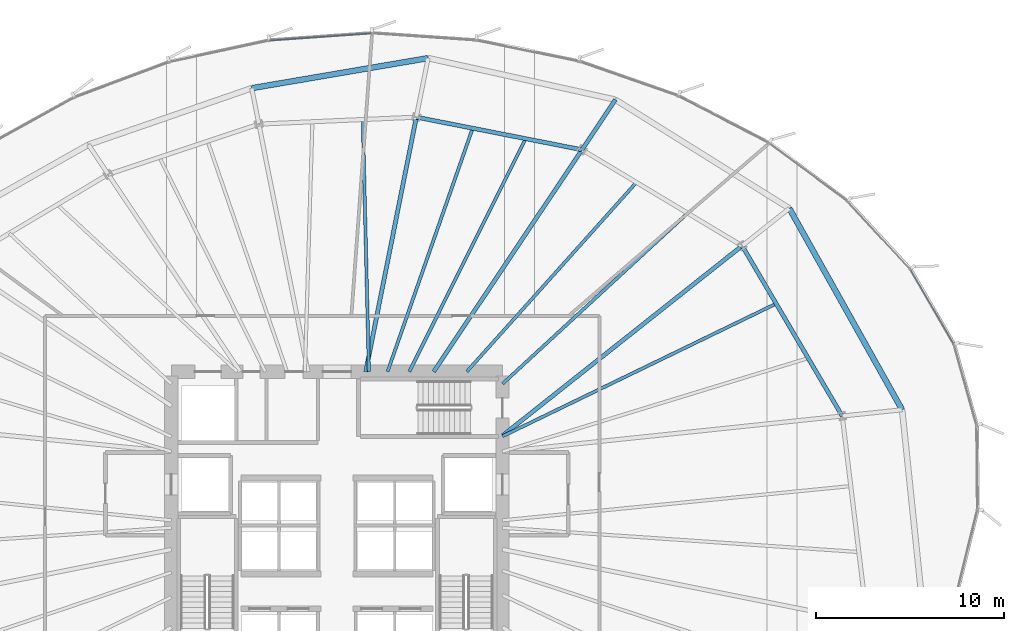
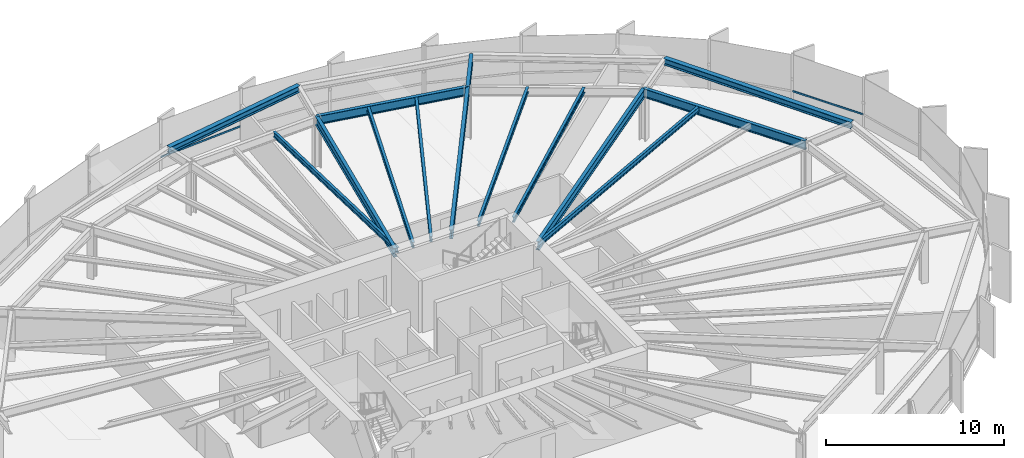
# One storey, part 23 of 38: 14 beams, 2 members, 2 elements without a shape of their own.
"""IFC4 building model written with IfcOpenShell, lengths in metres."""

from ifc_helpers import new_model, si_unit, direction, frame, origin, origin_2d, place, context, subcontext, project, spatial, hollow_rectangle, i_section, extrude, source, transform, mapped, material, layer, layer_set, material_profile, profile_set, type_object, element, aggregate, save


model = new_model("IFC4")

# Units and contexts
model_context = context("Model", 3, precision=1e-05, world=origin(), true_north=direction((0.0, 1.0)))
body_context = subcontext(model_context, "Body", "Model", "MODEL_VIEW")
ifc_project = project(units=[si_unit("LENGTHUNIT", "METRE"), si_unit("AREAUNIT", "SQUARE_METRE"), si_unit("VOLUMEUNIT", "CUBIC_METRE"), si_unit("PLANEANGLEUNIT", "RADIAN"), si_unit("MASSUNIT", "GRAM", prefix="KILO"), si_unit("THERMODYNAMICTEMPERATUREUNIT", "KELVIN")], contexts=[model_context])

# Site, building, storey
site_placement = place(None, origin())
site = spatial("IfcSite", under=ifc_project, at=site_placement, CompositionType="ELEMENT")
building_placement = place(site_placement, origin())
building = spatial("IfcBuilding", under=site, at=building_placement, Name="Kethvar Cultural Tower", CompositionType="ELEMENT")
storey_placement = place(building_placement, frame((0.0, 0.0, 63.800048828125)))
storey = spatial("IfcBuildingStorey", under=building, at=storey_placement, Name="L15", CompositionType="ELEMENT", Elevation=63.800048828125)

# Beams
ifc_material_1 = material(Name="Steel S355J2", Category="steel")
ifc_material_profile_1 = material_profile(ifc_material_1, i_section(OverallWidth=0.219970703125, OverallDepth=0.60009765625, WebThickness=0.011962890625, FlangeThickness=0.01904296875, FilletRadius=0.02392578125, at=origin_2d()), Name="Steel S355J2 — IPE600")
ifc_profile_set_1 = profile_set([ifc_material_profile_1], Name="Steel S355J2 — IPE600")
beam_type_1 = type_object("IfcBeamType", Name="BM-IPE600", PredefinedType="BEAM", material=ifc_profile_set_1)
shared_shape_1 = source(origin(), body_context, "Body", "SweptSolid", [
    extrude(i_section(OverallWidth=0.219970703125, OverallDepth=0.60009765625, WebThickness=0.011962890625, FlangeThickness=0.01904296875, FilletRadius=0.02392578125, at=origin_2d()), origin(), (0.0, 0.0, 1.0), 16.248779296875),
])
beam_1_placement = place(storey_placement, frame((55.60009765625, 32.10009765625, 3.248046875), z_axis=(0.783831288624, 0.620973840813, 0.0), x_axis=(-0.620973840813, 0.783831288624, 0.0)))
element("IfcBeam", 1, at=beam_1_placement, inside=storey, type_object=beam_type_1, Name="L15 Primary Radial Beam RB-02", PredefinedType="BEAM", context=body_context, shape_type="MappedRepresentation", body=[
    mapped(shared_shape_1, transform((0.0, 0.0, 0.0), scale=1.0)),
])
shared_shape_2 = source(origin(), body_context, "Body", "SweptSolid", [
    extrude(i_section(OverallWidth=0.219970703125, OverallDepth=0.60009765625, WebThickness=0.011962890625, FlangeThickness=0.01904296875, FilletRadius=0.02392578125, at=origin_2d()), origin(), (0.0, 0.0, 1.0), 14.18359375),
])
beam_2_placement = place(storey_placement, frame((51.945068359375, 35.5, 3.248046875), z_axis=(0.55556584065, 0.831472547174, 0.0), x_axis=(-0.831472547174, 0.55556584065, 0.0)))
element("IfcBeam", 2, at=beam_2_placement, inside=storey, type_object=beam_type_1, Name="L15 Primary Radial Beam RB-03", PredefinedType="BEAM", context=body_context, shape_type="MappedRepresentation", body=[
    mapped(shared_shape_2, transform((0.0, 0.0, 0.0), scale=1.0)),
])
shared_shape_3 = source(origin(), body_context, "Body", "SweptSolid", [
    extrude(i_section(OverallWidth=0.219970703125, OverallDepth=0.60009765625, WebThickness=0.011962890625, FlangeThickness=0.01904296875, FilletRadius=0.02392578125, at=origin_2d()), origin(), (0.0, 0.0, 1.0), 3.2001953125),
])
beam_3_placement = place(storey_placement, frame((59.824951171875, 47.293212890625, 3.248046875), z_axis=(0.555544970406, 0.831486491686, 0.0), x_axis=(-0.831486491686, 0.555544970406, 0.0)))
element("IfcBeam", 3, at=beam_3_placement, inside=storey, type_object=beam_type_1, Name="L15 Perimeter Cantilever Beam RC-03", PredefinedType="BEAM", context=body_context, shape_type="MappedRepresentation", body=[
    mapped(shared_shape_3, transform((0.0, 0.0, 0.0), scale=1.0)),
])
shared_shape_4 = source(origin(), body_context, "Body", "SweptSolid", [
    extrude(i_section(OverallWidth=0.219970703125, OverallDepth=0.60009765625, WebThickness=0.011962890625, FlangeThickness=0.01904296875, FilletRadius=0.02392578125, at=origin_2d()), origin(), (0.0, 0.0, 1.0), 13.791015625),
])
beam_4_placement = place(storey_placement, frame((48.33154296875, 35.5, 3.248046875), z_axis=(0.195104916429, 0.980782377281, 0.0), x_axis=(-0.980782377281, 0.195104916429, 0.0)))
element("IfcBeam", 4, at=beam_4_placement, inside=storey, type_object=beam_type_1, Name="L15 Primary Radial Beam RB-04", PredefinedType="BEAM", context=body_context, shape_type="MappedRepresentation", body=[
    mapped(shared_shape_4, transform((0.0, 0.0, 0.0), scale=1.0)),
])
shared_shape_5 = source(origin(), body_context, "Body", "SweptSolid", [
    extrude(i_section(OverallWidth=0.219970703125, OverallDepth=0.60009765625, WebThickness=0.011962890625, FlangeThickness=0.01904296875, FilletRadius=0.02392578125, at=origin_2d()), origin(), (0.0, 0.0, 1.0), 10.496337890625),
])
beam_5_placement = place(storey_placement, frame((73.65673828125, 33.14208984375, 3.248046875), z_axis=(-0.506871712474, 0.862021500366, 0.0), x_axis=(-0.862021500366, -0.506871712474, 0.0)))
element("IfcBeam", 5, at=beam_5_placement, inside=storey, type_object=beam_type_1, Name="L15 Column Ring Tie Beam CR-01", PredefinedType="BEAM", context=body_context, shape_type="MappedRepresentation", body=[
    mapped(shared_shape_5, transform((0.0, 0.0, 0.0), scale=1.0)),
])
ifc_material_profile_2 = material_profile(ifc_material_1, i_section(OverallWidth=0.169921875, OverallDepth=0.360107421875, WebThickness=0.008056640625, FlangeThickness=0.0126953125, FilletRadius=0.01806640625, at=origin_2d()), Name="Steel S355J2 — IPE360")
ifc_profile_set_2 = profile_set([ifc_material_profile_2], Name="Steel S355J2 — IPE360")
beam_type_2 = type_object("IfcBeamType", Name="BM-J360", PredefinedType="JOIST", material=ifc_profile_set_2)
shared_shape_6 = source(origin(), body_context, "Body", "SweptSolid", [
    extrude(i_section(OverallWidth=0.169921875, OverallDepth=0.360107421875, WebThickness=0.008056640625, FlangeThickness=0.0126953125, FilletRadius=0.01806640625, at=origin_2d()), origin(), (0.0, 0.0, 1.0), 16.163330078125),
])
beam_6_placement = place(storey_placement, frame((55.60009765625, 32.064697265625, 3.367919921875), z_axis=(0.899890099721, 0.436116737151, 0.0), x_axis=(-0.436116737151, 0.899890099721, 0.0)))
element("IfcBeam", 6, at=beam_6_placement, inside=storey, type_object=beam_type_2, Name="L15 Composite Floor Joist J-01B", PredefinedType="JOIST", context=body_context, shape_type="MappedRepresentation", body=[
    mapped(shared_shape_6, transform((0.0, 0.0, 0.0), scale=1.0)),
])
shared_shape_7 = source(origin(), body_context, "Body", "SweptSolid", [
    extrude(i_section(OverallWidth=0.169921875, OverallDepth=0.360107421875, WebThickness=0.008056640625, FlangeThickness=0.0126953125, FilletRadius=0.01806640625, at=origin_2d()), origin(), (0.0, 0.0, 1.0), 13.3876953125),
])
beam_7_placement = place(storey_placement, frame((55.60009765625, 34.85009765625, 3.367919921875), z_axis=(0.735175283276, 0.677877055859, 0.0), x_axis=(-0.677877055859, 0.735175283276, 0.0)))
element("IfcBeam", 7, at=beam_7_placement, inside=storey, type_object=beam_type_2, Name="L15 Composite Floor Joist J-02A", PredefinedType="JOIST", context=body_context, shape_type="MappedRepresentation", body=[
    mapped(shared_shape_7, transform((0.0, 0.0, 0.0), scale=1.0)),
])
shared_shape_8 = source(origin(), body_context, "Body", "SweptSolid", [
    extrude(i_section(OverallWidth=0.169921875, OverallDepth=0.360107421875, WebThickness=0.008056640625, FlangeThickness=0.0126953125, FilletRadius=0.01806640625, at=origin_2d()), origin(), (0.0, 0.0, 1.0), 13.508056640625),
])
beam_8_placement = place(storey_placement, frame((53.702392578125, 35.5, 3.367919921875), z_axis=(0.667503553274, 0.744606611821, 0.0), x_axis=(-0.744606611821, 0.667503553274, 0.0)))
element("IfcBeam", 8, at=beam_8_placement, inside=storey, type_object=beam_type_2, Name="L15 Composite Floor Joist J-02B", PredefinedType="JOIST", context=body_context, shape_type="MappedRepresentation", body=[
    mapped(shared_shape_8, transform((0.0, 0.0, 0.0), scale=1.0)),
])
shared_shape_9 = source(origin(), body_context, "Body", "SweptSolid", [
    extrude(i_section(OverallWidth=0.219970703125, OverallDepth=0.60009765625, WebThickness=0.011962890625, FlangeThickness=0.01904296875, FilletRadius=0.02392578125, at=origin_2d()), origin(), (0.0, 0.0, 1.0), 8.9716796875),
])
beam_9_placement = place(storey_placement, frame((59.824951171875, 47.293212890625, 3.248046875), z_axis=(-0.981173751046, 0.193127083181, 0.0), x_axis=(-0.193127083181, -0.981173751046, 0.0)))
element("IfcBeam", 9, at=beam_9_placement, inside=storey, type_object=beam_type_1, Name="L15 Column Ring Tie Beam CR-03", PredefinedType="BEAM", context=body_context, shape_type="MappedRepresentation", body=[
    mapped(shared_shape_9, transform((0.0, 0.0, 0.0), scale=1.0)),
])
shared_shape_10 = source(origin(), body_context, "Body", "SweptSolid", [
    extrude(i_section(OverallWidth=0.169921875, OverallDepth=0.360107421875, WebThickness=0.008056640625, FlangeThickness=0.0126953125, FilletRadius=0.01806640625, at=origin_2d()), origin(), (0.0, 0.0, 1.0), 13.84130859375),
])
beam_10_placement = place(storey_placement, frame((50.646484375, 35.5, 3.367919921875), z_axis=(0.446889017672, 0.894589406311, 0.0), x_axis=(-0.894589406311, 0.446889017672, 0.0)))
element("IfcBeam", 10, at=beam_10_placement, inside=storey, type_object=beam_type_2, Name="L15 Composite Floor Joist J-03A", PredefinedType="JOIST", context=body_context, shape_type="MappedRepresentation", body=[
    mapped(shared_shape_10, transform((0.0, 0.0, 0.0), scale=1.0)),
])
shared_shape_11 = source(origin(), body_context, "Body", "SweptSolid", [
    extrude(i_section(OverallWidth=0.169921875, OverallDepth=0.360107421875, WebThickness=0.008056640625, FlangeThickness=0.0126953125, FilletRadius=0.01806640625, at=origin_2d()), origin(), (0.0, 0.0, 1.0), 13.70458984375),
])
beam_11_placement = place(storey_placement, frame((49.4921875, 35.5, 3.367919921875), z_axis=(0.330030618422, 0.943970227764, 0.0), x_axis=(-0.943970227764, 0.330030618422, 0.0)))
element("IfcBeam", 11, at=beam_11_placement, inside=storey, type_object=beam_type_2, Name="L15 Composite Floor Joist J-03B", PredefinedType="JOIST", context=body_context, shape_type="MappedRepresentation", body=[
    mapped(shared_shape_11, transform((0.0, 0.0, 0.0), scale=1.0)),
])
shared_shape_12 = source(origin(), body_context, "Body", "SweptSolid", [
    extrude(i_section(OverallWidth=0.169921875, OverallDepth=0.360107421875, WebThickness=0.008056640625, FlangeThickness=0.0126953125, FilletRadius=0.01806640625, at=origin_2d()), origin(), (0.0, 0.0, 1.0), 13.40380859375),
])
beam_12_placement = place(storey_placement, frame((48.5, 35.5, 3.367919921875), z_axis=(-0.024170322554, 0.999707855079, 0.0), x_axis=(-0.999707855079, -0.024170322554, 0.0)))
element("IfcBeam", 12, at=beam_12_placement, inside=storey, type_object=beam_type_2, Name="L15 Composite Floor Joist J-04A", PredefinedType="JOIST", context=body_context, shape_type="MappedRepresentation", body=[
    mapped(shared_shape_12, transform((0.0, 0.0, 0.0), scale=1.0)),
])
ifc_material_profile_3 = material_profile(ifc_material_1, i_section(OverallWidth=0.300048828125, OverallDepth=0.449951171875, WebThickness=0.013916015625, FlangeThickness=0.02587890625, FilletRadius=0.027099609375, at=origin_2d()), Name="Steel S355J2 — HEB450")
ifc_profile_set_3 = profile_set([ifc_material_profile_3], Name="Steel S355J2 — HEB450")
beam_type_3 = type_object("IfcBeamType", Name="BM-SP450", PredefinedType="SPANDREL", material=ifc_profile_set_3)
shared_shape_13 = source(origin(), body_context, "Body", "SweptSolid", [
    extrude(i_section(OverallWidth=0.300048828125, OverallDepth=0.449951171875, WebThickness=0.013916015625, FlangeThickness=0.02587890625, FilletRadius=0.027099609375, at=origin_2d()), origin(), (0.0, 0.0, 1.0), 12.266357421875),
])
beam_13_placement = place(storey_placement, frame((76.83935546875, 33.4755859375, 3.322998046875), z_axis=(-0.488708822027, 0.872446953845, 0.0), x_axis=(-0.872446953845, -0.488708822027, 0.0)))
element("IfcBeam", 13, at=beam_13_placement, inside=storey, type_object=beam_type_3, Name="L15 Perimeter Spandrel Beam SP-01", PredefinedType="SPANDREL", context=body_context, shape_type="MappedRepresentation", body=[
    mapped(shared_shape_13, transform((0.0, 0.0, 0.0), scale=1.0)),
])
shared_shape_14 = source(origin(), body_context, "Body", "SweptSolid", [
    extrude(i_section(OverallWidth=0.300048828125, OverallDepth=0.449951171875, WebThickness=0.013916015625, FlangeThickness=0.02587890625, FilletRadius=0.027099609375, at=origin_2d()), origin(), (0.0, 0.0, 1.0), 9.51025390625),
])
beam_14_placement = place(storey_placement, frame((51.646484375, 52.164306640625, 3.322998046875), z_axis=(-0.985779396532, -0.168044581503, 0.0), x_axis=(0.168044581503, -0.985779396532, 0.0)))
element("IfcBeam", 14, at=beam_14_placement, inside=storey, type_object=beam_type_3, Name="L15 Perimeter Spandrel Beam SP-04", PredefinedType="SPANDREL", context=body_context, shape_type="MappedRepresentation", body=[
    mapped(shared_shape_14, transform((0.0, 0.0, 0.0), scale=1.0)),
])

# Curtain wall, member
ifc_material_2 = material(Name="Aluminium 6063-T6", Category="aluminium")
ifc_layer = layer(ifc_material_2, 0.179931640625, Name="Aluminium 6063-T6", Category="aluminium")
ifc_layer_set = layer_set([ifc_layer], Name="Aluminium 6063-T6 (180 mm)")
curtain_wall_type = type_object("IfcCurtainWallType", Name="CW-SYS-02-Z1", PredefinedType="NOTDEFINED", material=ifc_layer_set)
curtain_wall_1_placement = place(storey_placement, origin())
curtain_wall_1 = element("IfcCurtainWall", 15, at=curtain_wall_1_placement, inside=storey, type_object=curtain_wall_type, Name="L15 Curtain Wall Run 01", PredefinedType="NOTDEFINED")
ifc_material_profile_4 = material_profile(ifc_material_2, hollow_rectangle(XDim=0.054931640625, YDim=0.1201171875, WallThickness=0.00390625, at=origin_2d()), Name="Aluminium 6063-T6 — RHS120x55x4")
ifc_profile_set_4 = profile_set([ifc_material_profile_4], Name="Aluminium 6063-T6 — RHS120x55x4")
member_type = type_object("IfcMemberType", Name="CW-SYS-02-Z1-TRN", PredefinedType="USERDEFINED", material=ifc_profile_set_4)
shared_shape_15 = source(origin(), body_context, "Body", "SweptSolid", [
    extrude(hollow_rectangle(XDim=0.054931640625, YDim=0.1201171875, WallThickness=0.00390625, at=origin_2d()), origin(), (0.0, 0.0, 1.0), 4.568603515625),
])
member_1_placement = place(storey_placement, frame((79.577392578125, 36.966064453125, 0.949951171875), z_axis=(-0.501842844168, 0.864958819689, 0.0), x_axis=(-0.864958819689, -0.501842844168, 0.0)))
member_1 = element("IfcMember", 16, at=member_1_placement, type_object=member_type, Name="CW-L15-R01 Transom 2", ObjectType="TRANSOM", PredefinedType="USERDEFINED", context=body_context, shape_type="MappedRepresentation", body=[
    mapped(shared_shape_15, transform((0.0, 0.0, 0.0), scale=1.0)),
])
aggregate(curtain_wall_1, [member_1])

curtain_wall_2_placement = place(storey_placement, origin())
curtain_wall_2 = element("IfcCurtainWall", 17, at=curtain_wall_2_placement, inside=storey, type_object=curtain_wall_type, Name="L15 Curtain Wall Run 02", PredefinedType="NOTDEFINED")
shared_shape_16 = source(origin(), body_context, "Body", "SweptSolid", [
    extrude(hollow_rectangle(XDim=0.054931640625, YDim=0.1201171875, WallThickness=0.00390625, at=origin_2d()), origin(), (0.0, 0.0, 1.0), 5.397705078125),
])
member_2_placement = place(storey_placement, frame((48.622314453125, 53.4775390625, 0.949951171875), z_axis=(-0.997529830919, -0.070244120224, 0.0), x_axis=(0.070244120224, -0.997529830919, 0.0)))
member_2 = element("IfcMember", 18, at=member_2_placement, type_object=member_type, Name="CW-L15-R02 Transom 3", ObjectType="TRANSOM", PredefinedType="USERDEFINED", context=body_context, shape_type="MappedRepresentation", body=[
    mapped(shared_shape_16, transform((0.0, 0.0, 0.0), scale=1.0)),
])
aggregate(curtain_wall_2, [member_2])

save(model, "model.ifc")
